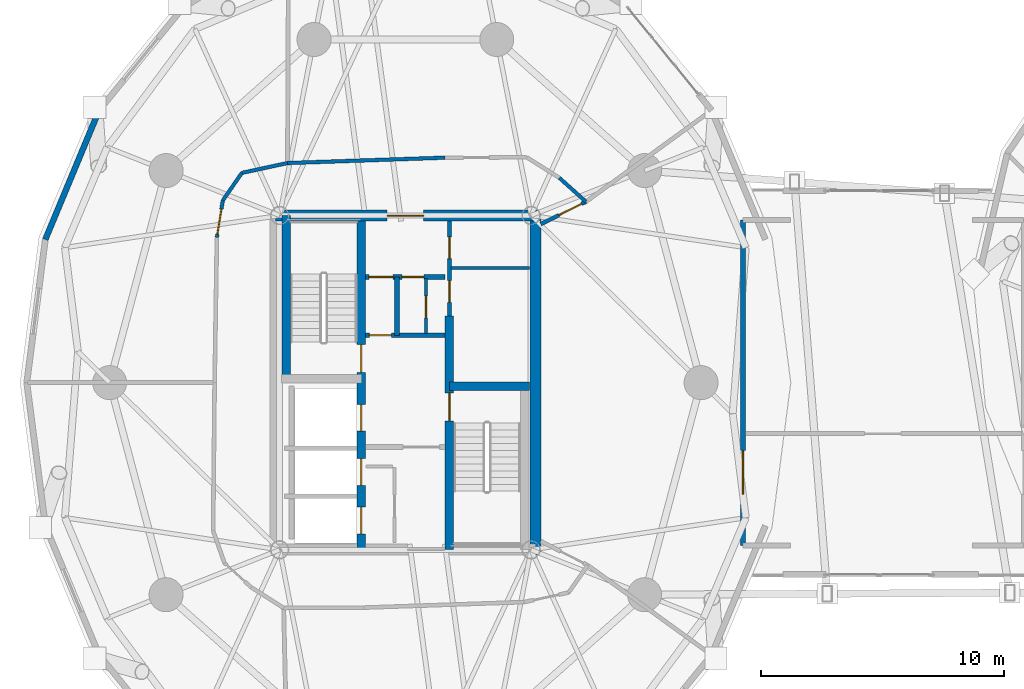
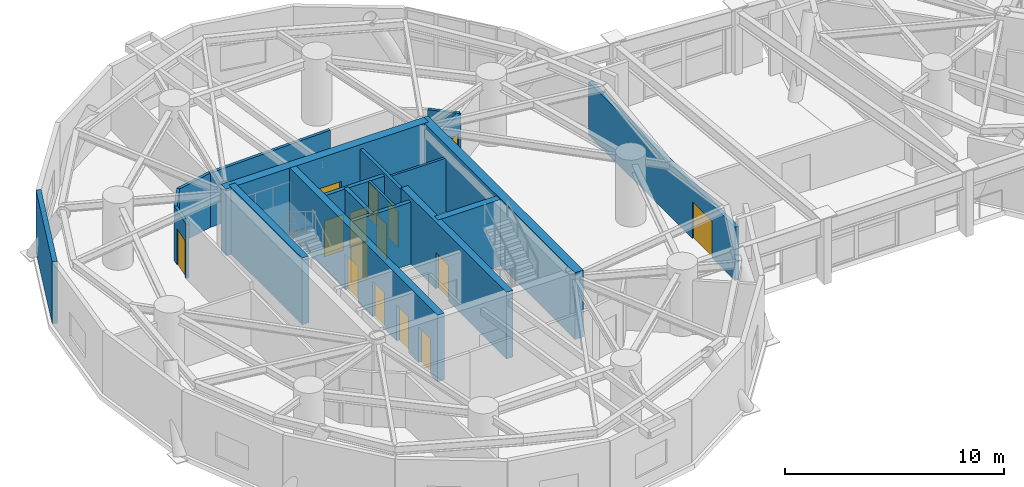
# One storey, part 14 of 20: 20 walls, 15 doors, 15 openings.
"""IFC4 building model written with IfcOpenShell, lengths in metres."""

from ifc_helpers import new_model, si_unit, direction, frame, frame_2d, origin, place, context, subcontext, project, spatial, rectangle, extrude, source, transform, mapped, material, layer, layer_set, type_object, element, fill, save


model = new_model("IFC4")

# Units and contexts
model_context = context("Model", 3, precision=1e-05, world=origin(), true_north=direction((0.0, 1.0)))
body_context = subcontext(model_context, "Body", "Model", "MODEL_VIEW")
ifc_project = project(units=[si_unit("LENGTHUNIT", "METRE"), si_unit("AREAUNIT", "SQUARE_METRE"), si_unit("VOLUMEUNIT", "CUBIC_METRE"), si_unit("PLANEANGLEUNIT", "RADIAN"), si_unit("MASSUNIT", "GRAM", prefix="KILO")], contexts=[model_context])

# Site, building, storey
site_placement = place(None, origin())
site = spatial("IfcSite", under=ifc_project, at=site_placement, CompositionType="ELEMENT")
building_placement = place(site_placement, origin())
building = spatial("IfcBuilding", under=site, at=building_placement, Name="Cununo Teusaquillo Station Towers", CompositionType="ELEMENT")
storey_placement = place(building_placement, frame((0.0, 0.0, 140.320068359375)))
storey = spatial("IfcBuildingStorey", under=building, at=storey_placement, Name="L44", CompositionType="ELEMENT", Elevation=140.320068359375)

# Wall, openings, doors
ifc_material_1 = material(Name="Concrete C50/60", Category="concrete")
ifc_layer_1 = layer(ifc_material_1, 0.35009765625)
ifc_layer_set_1 = layer_set([ifc_layer_1], Name="Concrete C50/60")
wall_type_1 = type_object("IfcWallType", Name="WL-CORE-350", PredefinedType="SHEAR", material=ifc_layer_set_1)
wall_1_placement = place(storey_placement, frame((14.68505859375, 17.625, 0.0), z_axis=(0.0, 0.0, 1.0), x_axis=(0.0, 1.0, 0.0)))
wall_1 = element("IfcWall", 1, at=wall_1_placement, inside=storey, type_object=wall_type_1, Name="L44 Tower A Core Shear Wall IW", PredefinedType="SHEAR", context=body_context, shape_type="SweptSolid", body=[
    extrude(rectangle(XDim=13.75, YDim=0.35009765625, at=frame_2d((6.875, 0.0))), origin(), (0.0, 0.0, 1.0), 3.719970703125),
])
shared_shape_1 = source(origin(), body_context, "Body", "SweptSolid", [
    extrude(rectangle(XDim=1.10009765625, YDim=2.014892578125, at=frame_2d((0.550048828125, 1.00732421875))), frame((0.0, 0.18505859375, 0.0), z_axis=(0.0, -1.0, 0.0), x_axis=(1.0, 0.0, 0.0)), (0.0, 0.0, 1.0), 0.3701171875),
])
opening_1_placement = place(wall_1_placement, frame((4.875, 0.0, 0.0)))
opening_1 = element("IfcOpeningElement", 2, at=opening_1_placement, cuts=wall_1, Name="Opening LD-01", PredefinedType="OPENING", context=body_context, shape_type="MappedRepresentation", body=[
    mapped(shared_shape_1, transform((0.0, 0.0, 0.0), x_axis=(1.0, 0.0, 0.0), y_axis=(0.0, 1.0, 0.0), z_axis=(0.0, 0.0, 1.0), scale=1.0)),
])
opening_2_placement = place(wall_1_placement, frame((0.64990234375, 0.0, 0.0)))
opening_2 = element("IfcOpeningElement", 3, at=opening_2_placement, cuts=wall_1, Name="Opening LD-01", PredefinedType="OPENING", context=body_context, shape_type="MappedRepresentation", body=[
    mapped(shared_shape_1, transform((0.0, 0.0, 0.0), x_axis=(1.0, 0.0, 0.0), y_axis=(0.0, 1.0, 0.0), z_axis=(0.0, 0.0, 1.0), scale=1.0)),
])
opening_3_placement = place(wall_1_placement, frame((2.64990234375, 0.0, 0.0)))
opening_3 = element("IfcOpeningElement", 4, at=opening_3_placement, cuts=wall_1, Name="Opening LD-01", PredefinedType="OPENING", context=body_context, shape_type="MappedRepresentation", body=[
    mapped(shared_shape_1, transform((0.0, 0.0, 0.0), x_axis=(1.0, 0.0, 0.0), y_axis=(0.0, 1.0, 0.0), z_axis=(0.0, 0.0, 1.0), scale=1.0)),
])
shared_shape_2 = source(origin(), body_context, "Body", "SweptSolid", [
    extrude(rectangle(XDim=1.14990234375, YDim=2.02001953125, at=frame_2d((0.574951171875, 1.010009765625))), frame((0.0, 0.18505859375, 0.0), z_axis=(0.0, -1.0, 0.0), x_axis=(1.0, 0.0, 0.0)), (0.0, 0.0, 1.0), 0.3701171875),
])
opening_4_placement = place(wall_1_placement, frame((7.294921875, 0.0, 0.0)))
opening_4 = element("IfcOpeningElement", 5, at=opening_4_placement, cuts=wall_1, Name="Opening D-ST1", PredefinedType="OPENING", context=body_context, shape_type="MappedRepresentation", body=[
    mapped(shared_shape_2, transform((0.0, 0.0, 0.0), x_axis=(1.0, 0.0, 0.0), y_axis=(0.0, 1.0, 0.0), z_axis=(0.0, 0.0, 1.0), scale=1.0)),
])
ifc_material_2 = material(Name="Galvanised fire-rated hollow steel door assembly", Category="steel")
door_type_1 = type_object("IfcDoorType", Name="DR-LIFT-1100", OperationType="SLIDING_TO_LEFT", PredefinedType="DOOR", material=ifc_material_2)
shared_shape_3 = source(origin(), body_context, "Body", "SweptSolid", [
    extrude(rectangle(XDim=1.10009765625, YDim=2.014892578125, at=frame_2d((0.550048828125, 1.00732421875))), frame((0.0, 0.02490234375, 0.0), z_axis=(0.0, -1.0, 0.0), x_axis=(1.0, 0.0, 0.0)), (0.0, 0.0, 1.0), 0.050048828125),
])
door_1_placement = place(opening_1_placement, origin())
door_1 = element("IfcDoor", 6, at=door_1_placement, inside=storey, type_object=door_type_1, Name="L44 Lift FL-T1 Sliding Landing Door", OperationType="SLIDING_TO_LEFT", OverallHeight=2.014892578125, OverallWidth=1.10009765625, PredefinedType="DOOR", context=body_context, shape_type="MappedRepresentation", body=[
    mapped(shared_shape_3, transform((0.0, 0.0, 0.0), x_axis=(1.0, 0.0, 0.0), y_axis=(0.0, 1.0, 0.0), z_axis=(0.0, 0.0, 1.0), scale=1.0)),
])
fill(opening_1, door_1)
door_2_placement = place(opening_2_placement, origin())
door_2 = element("IfcDoor", 7, at=door_2_placement, inside=storey, type_object=door_type_1, Name="L44 Lift PL-T1-H1 Sliding Landing Door", OperationType="SLIDING_TO_LEFT", OverallHeight=2.014892578125, OverallWidth=1.10009765625, PredefinedType="DOOR", context=body_context, shape_type="MappedRepresentation", body=[
    mapped(shared_shape_3, transform((0.0, 0.0, 0.0), x_axis=(1.0, 0.0, 0.0), y_axis=(0.0, 1.0, 0.0), z_axis=(0.0, 0.0, 1.0), scale=1.0)),
])
fill(opening_2, door_2)
door_3_placement = place(opening_3_placement, origin())
door_3 = element("IfcDoor", 8, at=door_3_placement, inside=storey, type_object=door_type_1, Name="L44 Lift PL-T1-H2 Sliding Landing Door", OperationType="SLIDING_TO_RIGHT", OverallHeight=2.014892578125, OverallWidth=1.10009765625, PredefinedType="DOOR", context=body_context, shape_type="MappedRepresentation", body=[
    mapped(shared_shape_3, transform((0.0, 0.0, 0.0), x_axis=(1.0, 0.0, 0.0), y_axis=(0.0, 1.0, 0.0), z_axis=(0.0, 0.0, 1.0), scale=1.0)),
])
fill(opening_3, door_3)
ifc_material_3 = material(Name="Galvanised fire-rated hollow steel door assembly", Category="steel")
door_type_2 = type_object("IfcDoorType", Name="DR-STAIR-1150", OperationType="NOTDEFINED", PredefinedType="DOOR", material=ifc_material_3)
shared_shape_4 = source(origin(), body_context, "Body", "SweptSolid", [
    extrude(rectangle(XDim=1.14990234375, YDim=2.02001953125, at=frame_2d((0.574951171875, 1.010009765625))), frame((0.0, 0.02490234375, 0.0), z_axis=(0.0, -1.0, 0.0), x_axis=(1.0, 0.0, 0.0)), (0.0, 0.0, 1.0), 0.050048828125),
])
door_4_placement = place(opening_4_placement, origin())
door_4 = element("IfcDoor", 9, at=door_4_placement, inside=storey, type_object=door_type_2, Name="L44 Tower A Exit Stair 1 Fire Door", OperationType="SINGLE_SWING_RIGHT", OverallHeight=2.02001953125, OverallWidth=1.14990234375, PredefinedType="DOOR", context=body_context, shape_type="MappedRepresentation", body=[
    mapped(shared_shape_4, transform((0.0, 0.0, 0.0), x_axis=(1.0, 0.0, 0.0), y_axis=(0.0, 1.0, 0.0), z_axis=(0.0, 0.0, 1.0), scale=1.0)),
])
fill(opening_4, door_4)

# Wall, opening, door
wall_2_placement = place(storey_placement, frame((18.31494140625, 17.625, 0.0), z_axis=(0.0, 0.0, 1.0), x_axis=(0.0, 1.0, 0.0)))
wall_2 = element("IfcWall", 10, at=wall_2_placement, inside=storey, type_object=wall_type_1, Name="L44 Tower A Core Shear Wall IE", PredefinedType="SHEAR", context=body_context, shape_type="SweptSolid", body=[
    extrude(rectangle(XDim=9.625, YDim=0.35009765625, at=frame_2d((4.8125, 0.0))), origin(), (0.0, 0.0, 1.0), 3.719970703125),
])
opening_5_placement = place(wall_2_placement, frame((5.304931640625, 0.0, 0.0)))
opening_5 = element("IfcOpeningElement", 11, at=opening_5_placement, cuts=wall_2, Name="Opening D-ST1", PredefinedType="OPENING", context=body_context, shape_type="MappedRepresentation", body=[
    mapped(shared_shape_2, transform((0.0, 0.0, 0.0), x_axis=(1.0, 0.0, 0.0), y_axis=(0.0, 1.0, 0.0), z_axis=(0.0, 0.0, 1.0), scale=1.0)),
])
door_5_placement = place(opening_5_placement, origin())
door_5 = element("IfcDoor", 12, at=door_5_placement, inside=storey, type_object=door_type_2, Name="L44 Tower A Exit Stair 2 Fire Door", OperationType="SINGLE_SWING_LEFT", OverallHeight=2.02001953125, OverallWidth=1.14990234375, PredefinedType="DOOR", context=body_context, shape_type="MappedRepresentation", body=[
    mapped(shared_shape_4, transform((0.0, 0.0, 0.0), x_axis=(1.0, 0.0, 0.0), y_axis=(0.0, 1.0, 0.0), z_axis=(0.0, 0.0, 1.0), scale=1.0)),
])
fill(opening_5, door_5)

# Walls
wall_3_placement = place(storey_placement, frame((11.594970703125, 24.655029296875, 0.0), z_axis=(0.0, 0.0, 1.0), x_axis=(0.0, 1.0, 0.0)))
element("IfcWall", 13, at=wall_3_placement, inside=storey, type_object=wall_type_1, Name="L44 Tower A Core Shear Wall ST1W", PredefinedType="SHEAR", context=body_context, shape_type="SweptSolid", body=[
    extrude(rectangle(XDim=6.719970703125, YDim=0.35009765625, at=frame_2d((3.35986328125, 0.0))), origin(), (0.0, 0.0, 1.0), 3.719970703125),
])
wall_4_placement = place(storey_placement, frame((18.31494140625, 24.344970703125, 0.0), z_axis=(0.0, 0.0, 1.0), x_axis=(1.0, 0.0, 0.0)))
element("IfcWall", 14, at=wall_4_placement, inside=storey, type_object=wall_type_1, Name="L44 Tower A Core Shear Wall ST2N", PredefinedType="SHEAR", context=body_context, shape_type="SweptSolid", body=[
    extrude(rectangle(XDim=3.28515625, YDim=0.35009765625, at=frame_2d((1.642578125, 0.0))), origin(), (0.0, 0.0, 1.0), 3.719970703125),
])
ifc_material_4 = material(Name="Concrete C60/75", Category="concrete")
ifc_layer_2 = layer(ifc_material_4, 0.449951171875)
ifc_layer_set_2 = layer_set([ifc_layer_2], Name="Concrete C60/75")
wall_type_2 = type_object("IfcWallType", Name="WL-CORE-450", PredefinedType="SHEAR", material=ifc_layer_set_2)
wall_5_placement = place(storey_placement, frame((21.85009765625, 17.39990234375, 0.0), z_axis=(0.0, 0.0, 1.0), x_axis=(0.0, 1.0, 0.0)))
element("IfcWall", 15, at=wall_5_placement, inside=storey, type_object=wall_type_2, Name="L44 Tower A Core Shear Wall E", PredefinedType="SHEAR", context=body_context, shape_type="SweptSolid", body=[
    extrude(rectangle(XDim=14.2001953125, YDim=0.449951171875, at=frame_2d((7.10009765625, 0.0))), origin(), (0.0, 0.0, 1.0), 3.719970703125),
])

# Wall, opening, door
wall_6_placement = place(storey_placement, frame((11.14990234375, 31.375, 0.0), z_axis=(0.0, 0.0, 1.0), x_axis=(1.0, 0.0, 0.0)))
wall_6 = element("IfcWall", 16, at=wall_6_placement, inside=storey, type_object=wall_type_2, Name="L44 Tower A Core Shear Wall N", PredefinedType="SHEAR", context=body_context, shape_type="SweptSolid", body=[
    extrude(rectangle(XDim=10.7001953125, YDim=0.449951171875, at=frame_2d((5.35009765625, 0.0))), origin(), (0.0, 0.0, 1.0), 3.719970703125),
])
shared_shape_5 = source(origin(), body_context, "Body", "SweptSolid", [
    extrude(rectangle(XDim=1.5, YDim=2.02001953125, at=frame_2d((0.75, 1.010009765625))), frame((0.0, 0.23486328125, 0.0), z_axis=(0.0, -1.0, 0.0), x_axis=(1.0, 0.0, 0.0)), (0.0, 0.0, 1.0), 0.469970703125),
])
opening_6_placement = place(wall_6_placement, frame((4.60009765625, 0.0, 0.0)))
opening_6 = element("IfcOpeningElement", 17, at=opening_6_placement, cuts=wall_6, Name="Opening D-LB1", PredefinedType="OPENING", context=body_context, shape_type="MappedRepresentation", body=[
    mapped(shared_shape_5, transform((0.0, 0.0, 0.0), x_axis=(1.0, 0.0, 0.0), y_axis=(0.0, 1.0, 0.0), z_axis=(0.0, 0.0, 1.0), scale=1.0)),
])
ifc_material_5 = material(Name="Galvanised fire-rated hollow steel door assembly", Category="steel")
door_type_3 = type_object("IfcDoorType", Name="DR-LOBBY-1500", OperationType="DOUBLE_DOOR_SINGLE_SWING", PredefinedType="DOOR", material=ifc_material_5)
shared_shape_6 = source(origin(), body_context, "Body", "SweptSolid", [
    extrude(rectangle(XDim=1.5, YDim=2.02001953125, at=frame_2d((0.75, 1.010009765625))), frame((0.0, 0.02490234375, 0.0), z_axis=(0.0, -1.0, 0.0), x_axis=(1.0, 0.0, 0.0)), (0.0, 0.0, 1.0), 0.050048828125),
])
door_6_placement = place(opening_6_placement, origin())
door_6 = element("IfcDoor", 18, at=door_6_placement, inside=storey, type_object=door_type_3, Name="L44 Tower A North Core Lift Lobby Door", OperationType="DOUBLE_DOOR_SINGLE_SWING", OverallHeight=2.02001953125, OverallWidth=1.5, PredefinedType="DOOR", context=body_context, shape_type="MappedRepresentation", body=[
    mapped(shared_shape_6, transform((0.0, 0.0, 0.0), x_axis=(1.0, 0.0, 0.0), y_axis=(0.0, 1.0, 0.0), z_axis=(0.0, 0.0, 1.0), scale=1.0)),
])
fill(opening_6, door_6)

# Wall
ifc_material_6 = material(Name="Precast concrete C40/50", Category="concrete")
ifc_layer_3 = layer(ifc_material_6, 0.239990234375)
ifc_layer_set_3 = layer_set([ifc_layer_3], Name="Precast concrete C40/50")
wall_type_3 = type_object("IfcWallType", Name="WL-EXT-240", PredefinedType="SOLIDWALL", material=ifc_layer_set_3)
wall_7_placement = place(storey_placement, frame((1.681640625, 30.39306640625, 0.0), z_axis=(0.0, 0.0, 1.0), x_axis=(0.384344417632, 0.923189779317, 0.0)))
element("IfcWall", 19, at=wall_7_placement, inside=storey, type_object=wall_type_3, Name="L44 Tower A Exterior Facade Wall C08", PredefinedType="SOLIDWALL", context=body_context, shape_type="SweptSolid", body=[
    extrude(rectangle(XDim=5.75830078125, YDim=0.239990234375, at=frame_2d((2.879150390625, 0.0))), origin(), (0.0, 0.0, 1.0), 3.46484375),
])

# Wall, opening, door
ifc_material_7 = material(Name="Fire-rated gypsum plasterboard partition assembly", Category="gypsum")
ifc_layer_4 = layer(ifc_material_7, 0.125)
ifc_layer_set_4 = layer_set([ifc_layer_4], Name="Fire-rated gypsum plasterboard partition assembly")
wall_type_4 = type_object("IfcWallType", Name="WL-PART-125", PredefinedType="PARTITIONING", material=ifc_layer_set_4)
wall_8_placement = place(storey_placement, frame((17.35009765625, 26.52001953125, 0.0), z_axis=(0.0, 0.0, 1.0), x_axis=(0.0, 1.0, 0.0)))
wall_8 = element("IfcWall", 20, at=wall_8_placement, inside=storey, type_object=wall_type_4, Name="L44 Tower A Core Vertical Split Wall", PredefinedType="PARTITIONING", context=body_context, shape_type="SweptSolid", body=[
    extrude(rectangle(XDim=2.260009765625, YDim=0.125, at=frame_2d((1.1298828125, 0.0))), origin(), (0.0, 0.0, 1.0), 3.46484375),
])
shared_shape_7 = source(origin(), body_context, "Body", "SweptSolid", [
    extrude(rectangle(XDim=0.89990234375, YDim=2.0048828125, at=frame_2d((0.449951171875, 1.00244140625))), frame((0.0, 0.072509765625, 0.0), z_axis=(0.0, -1.0, 0.0), x_axis=(1.0, 0.0, 0.0)), (0.0, 0.0, 1.0), 0.14501953125),
])
opening_7_placement = place(wall_8_placement, frame((0.64990234375, 0.0, 0.0)))
opening_7 = element("IfcOpeningElement", 21, at=opening_7_placement, cuts=wall_8, Name="Opening D-SR1", PredefinedType="OPENING", context=body_context, shape_type="MappedRepresentation", body=[
    mapped(shared_shape_7, transform((0.0, 0.0, 0.0), x_axis=(1.0, 0.0, 0.0), y_axis=(0.0, 1.0, 0.0), z_axis=(0.0, 0.0, 1.0), scale=1.0)),
])
ifc_material_8 = material(Name="Galvanised fire-rated hollow steel door assembly", Category="steel")
door_type_4 = type_object("IfcDoorType", Name="DR-STORE-900", OperationType="NOTDEFINED", PredefinedType="DOOR", material=ifc_material_8)
shared_shape_8 = source(origin(), body_context, "Body", "SweptSolid", [
    extrude(rectangle(XDim=0.89990234375, YDim=2.0048828125, at=frame_2d((0.449951171875, 1.00244140625))), frame((0.0, 0.02490234375, 0.0), z_axis=(0.0, -1.0, 0.0), x_axis=(1.0, 0.0, 0.0)), (0.0, 0.0, 1.0), 0.050048828125),
])
door_7_placement = place(opening_7_placement, origin())
door_7 = element("IfcDoor", 22, at=door_7_placement, inside=storey, type_object=door_type_4, Name="L44 Tower A Core Electrical Room Door", OperationType="SINGLE_SWING_RIGHT", OverallHeight=2.0048828125, OverallWidth=0.89990234375, PredefinedType="DOOR", context=body_context, shape_type="MappedRepresentation", body=[
    mapped(shared_shape_8, transform((0.0, 0.0, 0.0), x_axis=(1.0, 0.0, 0.0), y_axis=(0.0, 1.0, 0.0), z_axis=(0.0, 0.0, 1.0), scale=1.0)),
])
fill(opening_7, door_7)

# Walls
wall_9_placement = place(storey_placement, frame((18.3798828125, 29.219970703125, 0.0), z_axis=(0.0, 0.0, 1.0), x_axis=(1.0, 0.0, 0.0)))
element("IfcWall", 23, at=wall_9_placement, inside=storey, type_object=wall_type_4, Name="L44 Tower A Reclaimed Bay Divider Wall", PredefinedType="PARTITIONING", context=body_context, shape_type="SweptSolid", body=[
    extrude(rectangle(XDim=3.22021484375, YDim=0.125, at=frame_2d((1.610107421875, 0.0))), origin(), (0.0, 0.0, 1.0), 3.001953125),
])
ifc_material_9 = material(Name="Fire-rated gypsum plasterboard partition assembly", Category="gypsum")
ifc_layer_5 = layer(ifc_material_9, 0.14990234375)
ifc_layer_set_5 = layer_set([ifc_layer_5], Name="Fire-rated gypsum plasterboard partition assembly")
wall_type_5 = type_object("IfcWallType", Name="WL-PART-150", PredefinedType="PARTITIONING", material=ifc_layer_set_5)
wall_10_placement = place(storey_placement, frame((23.933349609375, 31.9462890625, 0.0), z_axis=(0.0, 0.0, 1.0), x_axis=(-0.744529651383, 0.667589393423, 0.0)))
element("IfcWall", 24, at=wall_10_placement, inside=storey, type_object=wall_type_5, Name="L44 Tower A Corridor Ring Wall C02", PredefinedType="PARTITIONING", context=body_context, shape_type="SweptSolid", body=[
    extrude(rectangle(XDim=1.472412109375, YDim=0.14990234375, at=frame_2d((0.736328125, 0.0))), origin(), (0.0, 0.0, 1.0), 3.034912109375),
])
wall_11_placement = place(storey_placement, frame((18.1328125, 33.759521484375, 0.0), z_axis=(0.0, 0.0, 1.0), x_axis=(-0.999419643988, -0.034064280574, 0.0)))
element("IfcWall", 25, at=wall_11_placement, inside=storey, type_object=wall_type_5, Name="L44 Tower A Corridor Ring Wall C05", PredefinedType="PARTITIONING", context=body_context, shape_type="SweptSolid", body=[
    extrude(rectangle(XDim=6.486083984375, YDim=0.14990234375, at=frame_2d((3.2431640625, 0.0))), origin(), (0.0, 0.0, 1.0), 3.034912109375),
])
wall_12_placement = place(storey_placement, frame((11.650390625, 33.53857421875, 0.0), z_axis=(0.0, 0.0, 1.0), x_axis=(-0.977535921581, -0.210768882949, 0.0)))
element("IfcWall", 26, at=wall_12_placement, inside=storey, type_object=wall_type_5, Name="L44 Tower A Corridor Ring Wall C06", PredefinedType="PARTITIONING", context=body_context, shape_type="SweptSolid", body=[
    extrude(rectangle(XDim=1.9228515625, YDim=0.14990234375, at=frame_2d((0.96142578125, 0.0))), origin(), (0.0, 0.0, 1.0), 3.034912109375),
])
wall_13_placement = place(storey_placement, frame((9.770751953125, 33.13330078125, 0.0), z_axis=(0.0, 0.0, 1.0), x_axis=(-0.568464531016, -0.822707771312, 0.0)))
element("IfcWall", 27, at=wall_13_placement, inside=storey, type_object=wall_type_5, Name="L44 Tower A Corridor Ring Wall C07", PredefinedType="PARTITIONING", context=body_context, shape_type="SweptSolid", body=[
    extrude(rectangle(XDim=1.3798828125, YDim=0.14990234375, at=frame_2d((0.68994140625, 0.0))), origin(), (0.0, 0.0, 1.0), 3.034912109375),
])

# Wall, opening, door
wall_14_placement = place(storey_placement, frame((8.986328125, 31.998046875, 0.0), z_axis=(0.0, 0.0, 1.0), x_axis=(-0.158992972351, -0.98727971454, 0.0)))
wall_14 = element("IfcWall", 28, at=wall_14_placement, inside=storey, type_object=wall_type_5, Name="L44 Tower A Corridor Ring Wall C08", PredefinedType="PARTITIONING", context=body_context, shape_type="SweptSolid", body=[
    extrude(rectangle(XDim=1.53857421875, YDim=0.14990234375, at=frame_2d((0.769287109375, 0.0))), origin(), (0.0, 0.0, 1.0), 3.034912109375),
])
shared_shape_9 = source(origin(), body_context, "Body", "SweptSolid", [
    extrude(rectangle(XDim=1.050048828125, YDim=2.014892578125, at=frame_2d((0.52490234375, 1.00732421875))), frame((0.0, 0.0849609375, 0.0), z_axis=(0.0, -1.0, 0.0), x_axis=(1.0, 0.0, 0.0)), (0.0, 0.0, 1.0), 0.169921875),
])
opening_8_placement = place(wall_14_placement, frame((0.36865234375, 0.0, 0.0)))
opening_8 = element("IfcOpeningElement", 29, at=opening_8_placement, cuts=wall_14, Name="Opening D-SU1", PredefinedType="OPENING", context=body_context, shape_type="MappedRepresentation", body=[
    mapped(shared_shape_9, transform((0.0, 0.0, 0.0), x_axis=(1.0, 0.0, 0.0), y_axis=(0.0, 1.0, 0.0), z_axis=(0.0, 0.0, 1.0), scale=1.0)),
])
ifc_material_10 = material(Name="Acoustic solid-core hardwood leaf assembly", Category="wood")
door_type_5 = type_object("IfcDoorType", Name="DR-SUITE-1050", OperationType="NOTDEFINED", PredefinedType="DOOR", material=ifc_material_10)
shared_shape_10 = source(origin(), body_context, "Body", "SweptSolid", [
    extrude(rectangle(XDim=1.050048828125, YDim=2.014892578125, at=frame_2d((0.52490234375, 1.00732421875))), frame((0.0, 0.02490234375, 0.0), z_axis=(0.0, -1.0, 0.0), x_axis=(1.0, 0.0, 0.0)), (0.0, 0.0, 1.0), 0.050048828125),
])
door_8_placement = place(opening_8_placement, origin())
door_8 = element("IfcDoor", 30, at=door_8_placement, inside=storey, type_object=door_type_5, Name="L44 Tower A Andean Coffee & Pastry Salon Entrance Door", OperationType="SINGLE_SWING_RIGHT", OverallHeight=2.014892578125, OverallWidth=1.050048828125, PredefinedType="DOOR", context=body_context, shape_type="MappedRepresentation", body=[
    mapped(shared_shape_10, transform((0.0, 0.0, 0.0), x_axis=(1.0, 0.0, 0.0), y_axis=(0.0, 1.0, 0.0), z_axis=(0.0, 0.0, 1.0), scale=1.0)),
])
fill(opening_8, door_8)

# Wall, openings, doors
ifc_material_11 = material(Name="Fire-rated gypsum plasterboard partition assembly", Category="gypsum")
ifc_layer_6 = layer(ifc_material_11, 0.159912109375)
ifc_layer_set_6 = layer_set([ifc_layer_6], Name="Fire-rated gypsum plasterboard partition assembly")
wall_type_6 = type_object("IfcWallType", Name="WL-PART-160", PredefinedType="PARTITIONING", material=ifc_layer_set_6)
wall_15_placement = place(storey_placement, frame((18.31494140625, 27.25, 0.0), z_axis=(0.0, 0.0, 1.0), x_axis=(0.0, 1.0, 0.0)))
wall_15 = element("IfcWall", 31, at=wall_15_placement, inside=storey, type_object=wall_type_6, Name="L44 Tower A Reclaimed Core Bay Entry Wall", PredefinedType="PARTITIONING", context=body_context, shape_type="SweptSolid", body=[
    extrude(rectangle(XDim=3.89990234375, YDim=0.159912109375, at=frame_2d((1.949951171875, 0.0))), origin(), (0.0, 0.0, 1.0), 3.46484375),
])
shared_shape_11 = source(origin(), body_context, "Body", "SweptSolid", [
    extrude(rectangle(XDim=0.89990234375, YDim=2.0048828125, at=frame_2d((0.449951171875, 1.00244140625))), frame((0.0, 0.08984375, 0.0), z_axis=(0.0, -1.0, 0.0), x_axis=(1.0, 0.0, 0.0)), (0.0, 0.0, 1.0), 0.179931640625),
])
opening_9_placement = place(wall_15_placement, frame((0.550048828125, 0.0, 0.0)))
opening_9 = element("IfcOpeningElement", 32, at=opening_9_placement, cuts=wall_15, Name="Opening D-IN1", PredefinedType="OPENING", context=body_context, shape_type="MappedRepresentation", body=[
    mapped(shared_shape_11, transform((0.0, 0.0, 0.0), x_axis=(1.0, 0.0, 0.0), y_axis=(0.0, 1.0, 0.0), z_axis=(0.0, 0.0, 1.0), scale=1.0)),
])
opening_10_placement = place(wall_15_placement, frame((2.35009765625, 0.0, 0.0)))
opening_10 = element("IfcOpeningElement", 33, at=opening_10_placement, cuts=wall_15, Name="Opening D-IN1", PredefinedType="OPENING", context=body_context, shape_type="MappedRepresentation", body=[
    mapped(shared_shape_11, transform((0.0, 0.0, 0.0), x_axis=(1.0, 0.0, 0.0), y_axis=(0.0, 1.0, 0.0), z_axis=(0.0, 0.0, 1.0), scale=1.0)),
])
ifc_material_12 = material(Name="Acoustic solid-core hardwood leaf assembly", Category="wood")
door_type_6 = type_object("IfcDoorType", Name="DR-INT-900", OperationType="NOTDEFINED", PredefinedType="DOOR", material=ifc_material_12)
door_9_placement = place(opening_9_placement, origin())
door_9 = element("IfcDoor", 34, at=door_9_placement, inside=storey, type_object=door_type_6, Name="L44 Tower A Reclaimed Core Study Door", OperationType="SINGLE_SWING_LEFT", OverallHeight=2.0048828125, OverallWidth=0.89990234375, PredefinedType="DOOR", context=body_context, shape_type="MappedRepresentation", body=[
    mapped(shared_shape_8, transform((0.0, 0.0, 0.0), x_axis=(1.0, 0.0, 0.0), y_axis=(0.0, 1.0, 0.0), z_axis=(0.0, 0.0, 1.0), scale=1.0)),
])
fill(opening_9, door_9)
door_10_placement = place(opening_10_placement, origin())
door_10 = element("IfcDoor", 35, at=door_10_placement, inside=storey, type_object=door_type_6, Name="L44 Tower A Reclaimed Core Pantry Door", OperationType="SINGLE_SWING_RIGHT", OverallHeight=2.0048828125, OverallWidth=0.89990234375, PredefinedType="DOOR", context=body_context, shape_type="MappedRepresentation", body=[
    mapped(shared_shape_8, transform((0.0, 0.0, 0.0), x_axis=(1.0, 0.0, 0.0), y_axis=(0.0, 1.0, 0.0), z_axis=(0.0, 0.0, 1.0), scale=1.0)),
])
fill(opening_10, door_10)

# Wall, opening, door
wall_16_placement = place(storey_placement, frame((22.074951171875, 31.02490234375, 0.0), z_axis=(0.0, 0.0, 1.0), x_axis=(0.8959286695, 0.444197950432, 0.0)))
wall_16 = element("IfcWall", 36, at=wall_16_placement, inside=storey, type_object=wall_type_6, Name="L44 Tower A East Salon Corridor Portal Wall NE", PredefinedType="PARTITIONING", context=body_context, shape_type="SweptSolid", body=[
    extrude(rectangle(XDim=2.07421875, YDim=0.159912109375, at=frame_2d((1.037109375, 0.0))), origin(), (0.0, 0.0, 1.0), 3.034912109375),
])
shared_shape_12 = source(origin(), body_context, "Body", "SweptSolid", [
    extrude(rectangle(XDim=1.050048828125, YDim=2.014892578125, at=frame_2d((0.52490234375, 1.00732421875))), frame((0.0, 0.08984375, 0.0), z_axis=(0.0, -1.0, 0.0), x_axis=(1.0, 0.0, 0.0)), (0.0, 0.0, 1.0), 0.179931640625),
])
opening_11_placement = place(wall_16_placement, frame((0.82421875, 0.0, 0.0)))
opening_11 = element("IfcOpeningElement", 37, at=opening_11_placement, cuts=wall_16, Name="Opening D-SU1", PredefinedType="OPENING", context=body_context, shape_type="MappedRepresentation", body=[
    mapped(shared_shape_12, transform((0.0, 0.0, 0.0), x_axis=(1.0, 0.0, 0.0), y_axis=(0.0, 1.0, 0.0), z_axis=(0.0, 0.0, 1.0), scale=1.0)),
])
door_11_placement = place(opening_11_placement, origin())
door_11 = element("IfcDoor", 38, at=door_11_placement, inside=storey, type_object=door_type_5, Name="L44 Tower A East Panorama Sky Salon Door NE", OperationType="SINGLE_SWING_LEFT", OverallHeight=2.014892578125, OverallWidth=1.050048828125, PredefinedType="DOOR", context=body_context, shape_type="MappedRepresentation", body=[
    mapped(shared_shape_10, transform((0.0, 0.0, 0.0), x_axis=(1.0, 0.0, 0.0), y_axis=(0.0, 1.0, 0.0), z_axis=(0.0, 0.0, 1.0), scale=1.0)),
])
fill(opening_11, door_11)

ifc_material_13 = material(Name="Fire-rated gypsum plasterboard partition assembly", Category="gypsum")
ifc_layer_7 = layer(ifc_material_13, 0.199951171875)
ifc_layer_set_7 = layer_set([ifc_layer_7], Name="Fire-rated gypsum plasterboard partition assembly")
wall_type_7 = type_object("IfcWallType", Name="WL-PART-200", PredefinedType="PARTITIONING", material=ifc_layer_set_7)
wall_17_placement = place(storey_placement, frame((30.39990234375, 17.800048828125, 0.0), z_axis=(0.0, 0.0, 1.0), x_axis=(0.0, 1.0, 0.0)))
wall_17 = element("IfcWall", 39, at=wall_17_placement, inside=storey, type_object=wall_type_7, Name="L44 Mid-Bridge T1 Fire Portal Wall", PredefinedType="PARTITIONING", context=body_context, shape_type="SweptSolid", body=[
    extrude(rectangle(XDim=13.39990234375, YDim=0.199951171875, at=frame_2d((6.699951171875, 0.0))), origin(), (0.0, 0.0, 1.0), 2.989013671875),
])
shared_shape_13 = source(origin(), body_context, "Body", "SweptSolid", [
    extrude(rectangle(XDim=1.800048828125, YDim=2.050048828125, at=frame_2d((0.89990234375, 1.02490234375))), frame((0.0, 0.10986328125, 0.0), z_axis=(0.0, -1.0, 0.0), x_axis=(1.0, 0.0, 0.0)), (0.0, 0.0, 1.0), 0.219970703125),
])
opening_12_placement = place(wall_17_placement, frame((2.10009765625, 0.0, 0.0)))
opening_12 = element("IfcOpeningElement", 40, at=opening_12_placement, cuts=wall_17, Name="Opening D-BG1", PredefinedType="OPENING", context=body_context, shape_type="MappedRepresentation", body=[
    mapped(shared_shape_13, transform((0.0, 0.0, 0.0), x_axis=(1.0, 0.0, 0.0), y_axis=(0.0, 1.0, 0.0), z_axis=(0.0, 0.0, 1.0), scale=1.0)),
])
ifc_material_14 = material(Name="Galvanised fire-rated hollow steel door assembly", Category="steel")
door_type_7 = type_object("IfcDoorType", Name="DR-BRIDGE-1800", OperationType="DOUBLE_DOOR_SINGLE_SWING", PredefinedType="DOOR", material=ifc_material_14)
shared_shape_14 = source(origin(), body_context, "Body", "SweptSolid", [
    extrude(rectangle(XDim=1.800048828125, YDim=2.050048828125, at=frame_2d((0.89990234375, 1.02490234375))), frame((0.0, 0.02490234375, 0.0), z_axis=(0.0, -1.0, 0.0), x_axis=(1.0, 0.0, 0.0)), (0.0, 0.0, 1.0), 0.050048828125),
])
door_12_placement = place(opening_12_placement, origin())
door_12 = element("IfcDoor", 41, at=door_12_placement, inside=storey, type_object=door_type_7, Name="L44 Mid-Bridge T1 Portal Fire Door", OperationType="DOUBLE_DOOR_SINGLE_SWING", OverallHeight=2.050048828125, OverallWidth=1.800048828125, PredefinedType="DOOR", context=body_context, shape_type="MappedRepresentation", body=[
    mapped(shared_shape_14, transform((0.0, 0.0, 0.0), x_axis=(1.0, 0.0, 0.0), y_axis=(0.0, 1.0, 0.0), z_axis=(0.0, 0.0, 1.0), scale=1.0)),
])
fill(opening_12, door_12)

wall_18_placement = place(storey_placement, frame((14.860107421875, 26.449951171875, 0.0), z_axis=(0.0, 0.0, 1.0), x_axis=(1.0, 0.0, 0.0)))
wall_18 = element("IfcWall", 42, at=wall_18_placement, inside=storey, type_object=wall_type_7, Name="L44 Tower A Firefighting Lift Lobby North Fire Wall", PredefinedType="PARTITIONING", context=body_context, shape_type="SweptSolid", body=[
    extrude(rectangle(XDim=3.27978515625, YDim=0.199951171875, at=frame_2d((1.639892578125, 0.0))), origin(), (0.0, 0.0, 1.0), 3.46484375),
])
shared_shape_15 = source(origin(), body_context, "Body", "SweptSolid", [
    extrude(rectangle(XDim=0.89990234375, YDim=2.0048828125, at=frame_2d((0.449951171875, 1.00244140625))), frame((0.0, 0.10986328125, 0.0), z_axis=(0.0, -1.0, 0.0), x_axis=(1.0, 0.0, 0.0)), (0.0, 0.0, 1.0), 0.219970703125),
])
opening_13_placement = place(wall_18_placement, frame((0.159912109375, 0.0, 0.0)))
opening_13 = element("IfcOpeningElement", 43, at=opening_13_placement, cuts=wall_18, Name="Opening D-SR1", PredefinedType="OPENING", context=body_context, shape_type="MappedRepresentation", body=[
    mapped(shared_shape_15, transform((0.0, 0.0, 0.0), x_axis=(1.0, 0.0, 0.0), y_axis=(0.0, 1.0, 0.0), z_axis=(0.0, 0.0, 1.0), scale=1.0)),
])
door_13_placement = place(opening_13_placement, origin())
door_13 = element("IfcDoor", 44, at=door_13_placement, inside=storey, type_object=door_type_4, Name="L44 Tower A Stair 1 Protected Vestibule South Door", OperationType="SINGLE_SWING_RIGHT", OverallHeight=2.0048828125, OverallWidth=0.89990234375, PredefinedType="DOOR", context=body_context, shape_type="MappedRepresentation", body=[
    mapped(shared_shape_8, transform((0.0, 0.0, 0.0), x_axis=(1.0, 0.0, 0.0), y_axis=(0.0, 1.0, 0.0), z_axis=(0.0, 0.0, 1.0), scale=1.0)),
])
fill(opening_13, door_13)

# Wall
wall_19_placement = place(storey_placement, frame((16.14990234375, 26.449951171875, 0.0), z_axis=(0.0, 0.0, 1.0), x_axis=(0.0, 1.0, 0.0)))
element("IfcWall", 45, at=wall_19_placement, inside=storey, type_object=wall_type_7, Name="L44 Tower A Stair 1 Vestibule Partition Wall", PredefinedType="PARTITIONING", context=body_context, shape_type="SweptSolid", body=[
    extrude(rectangle(XDim=2.400146484375, YDim=0.199951171875, at=frame_2d((1.2001953125, 0.0))), origin(), (0.0, 0.0, 1.0), 3.46484375),
])

# Wall, openings, doors
wall_20_placement = place(storey_placement, frame((14.860107421875, 28.85009765625, 0.0), z_axis=(0.0, 0.0, 1.0), x_axis=(1.0, 0.0, 0.0)))
wall_20 = element("IfcWall", 46, at=wall_20_placement, inside=storey, type_object=wall_type_7, Name="L44 Tower A North Lift Lobby South Fire Wall", PredefinedType="PARTITIONING", context=body_context, shape_type="SweptSolid", body=[
    extrude(rectangle(XDim=3.27978515625, YDim=0.199951171875, at=frame_2d((1.639892578125, 0.0))), origin(), (0.0, 0.0, 1.0), 3.46484375),
])
shared_shape_16 = source(origin(), body_context, "Body", "SweptSolid", [
    extrude(rectangle(XDim=1.0, YDim=2.014892578125, at=frame_2d((0.5, 1.00732421875))), frame((0.0, 0.10986328125, 0.0), z_axis=(0.0, -1.0, 0.0), x_axis=(1.0, 0.0, 0.0)), (0.0, 0.0, 1.0), 0.219970703125),
])
opening_14_placement = place(wall_20_placement, frame((0.139892578125, 0.0, 0.0)))
opening_14 = element("IfcOpeningElement", 47, at=opening_14_placement, cuts=wall_20, Name="Opening D-AC1", PredefinedType="OPENING", context=body_context, shape_type="MappedRepresentation", body=[
    mapped(shared_shape_16, transform((0.0, 0.0, 0.0), x_axis=(1.0, 0.0, 0.0), y_axis=(0.0, 1.0, 0.0), z_axis=(0.0, 0.0, 1.0), scale=1.0)),
])
opening_15_placement = place(wall_20_placement, frame((1.5, 0.0, 0.0)))
opening_15 = element("IfcOpeningElement", 48, at=opening_15_placement, cuts=wall_20, Name="Opening D-SR1", PredefinedType="OPENING", context=body_context, shape_type="MappedRepresentation", body=[
    mapped(shared_shape_15, transform((0.0, 0.0, 0.0), x_axis=(1.0, 0.0, 0.0), y_axis=(0.0, 1.0, 0.0), z_axis=(0.0, 0.0, 1.0), scale=1.0)),
])
door_14_placement = place(opening_15_placement, origin())
door_14 = element("IfcDoor", 49, at=door_14_placement, inside=storey, type_object=door_type_4, Name="L44 Tower A Core Housekeeping Store Door", OperationType="SINGLE_SWING_LEFT", OverallHeight=2.0048828125, OverallWidth=0.89990234375, PredefinedType="DOOR", context=body_context, shape_type="MappedRepresentation", body=[
    mapped(shared_shape_8, transform((0.0, 0.0, 0.0), x_axis=(1.0, 0.0, 0.0), y_axis=(0.0, 1.0, 0.0), z_axis=(0.0, 0.0, 1.0), scale=1.0)),
])
fill(opening_15, door_14)
ifc_material_15 = material(Name="Acoustic solid-core hardwood leaf assembly", Category="wood")
door_type_8 = type_object("IfcDoorType", Name="DR-ACC-1000", OperationType="NOTDEFINED", PredefinedType="DOOR", material=ifc_material_15)
shared_shape_17 = source(origin(), body_context, "Body", "SweptSolid", [
    extrude(rectangle(XDim=1.0, YDim=2.014892578125, at=frame_2d((0.5, 1.00732421875))), frame((0.0, 0.02490234375, 0.0), z_axis=(0.0, -1.0, 0.0), x_axis=(1.0, 0.0, 0.0)), (0.0, 0.0, 1.0), 0.050048828125),
])
door_15_placement = place(opening_14_placement, origin())
door_15 = element("IfcDoor", 50, at=door_15_placement, inside=storey, type_object=door_type_8, Name="L44 Tower A North Lift Lobby to Stair 1 Vestibule Door", OperationType="SINGLE_SWING_LEFT", OverallHeight=2.014892578125, OverallWidth=1.0, PredefinedType="DOOR", context=body_context, shape_type="MappedRepresentation", body=[
    mapped(shared_shape_17, transform((0.0, 0.0, 0.0), x_axis=(1.0, 0.0, 0.0), y_axis=(0.0, 1.0, 0.0), z_axis=(0.0, 0.0, 1.0), scale=1.0)),
])
fill(opening_14, door_15)

save(model, "model.ifc")
